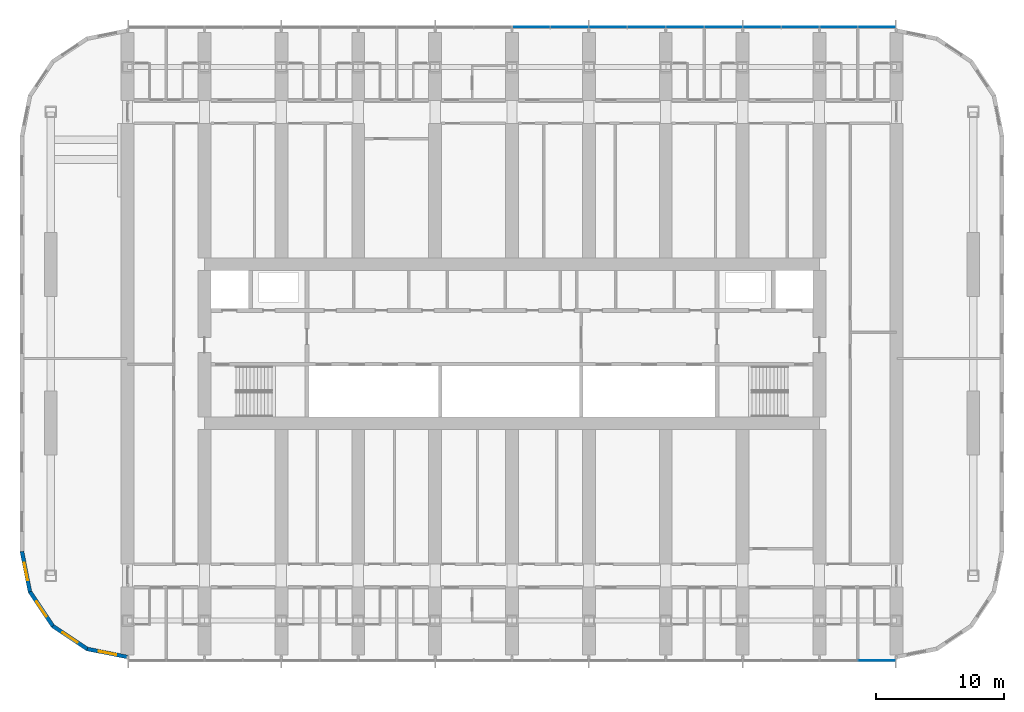
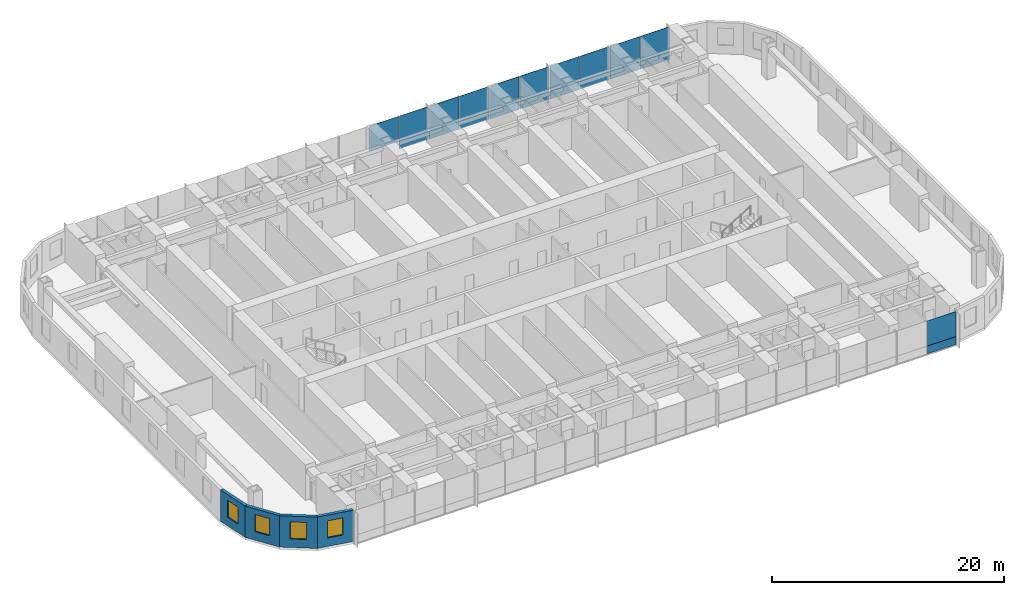
# One storey, part 9 of 23: 21 plates, 4 walls, 4 windows, 4 openings, 2 elements without a shape of their own.
"""IFC4 building model written with IfcOpenShell, lengths in metres."""

from ifc_helpers import new_model, si_unit, direction, frame, frame_2d, origin, origin_2d, place, context, subcontext, project, spatial, polyline, rectangle, outline, extrude, material, layer, layer_set, type_object, element, fill, aggregate, save


model = new_model("IFC4")

# Units and contexts
model_context = context("Model", 3, precision=1e-05, world=origin(), true_north=direction((0.0, 1.0)))
body_context = subcontext(model_context, "Body", "Model", "MODEL_VIEW")
ifc_project = project(units=[si_unit("LENGTHUNIT", "METRE"), si_unit("AREAUNIT", "SQUARE_METRE"), si_unit("VOLUMEUNIT", "CUBIC_METRE"), si_unit("PLANEANGLEUNIT", "RADIAN"), si_unit("MASSUNIT", "GRAM", prefix="KILO")], contexts=[model_context])

# Site, building, storey
site_placement = place(None, origin())
site = spatial("IfcSite", under=ifc_project, at=site_placement, CompositionType="ELEMENT")
building_placement = place(site_placement, origin())
building = spatial("IfcBuilding", under=site, at=building_placement, Name="Orbita Commons", CompositionType="ELEMENT")
storey_placement = place(building_placement, frame((0.0, 0.0, 50.199951171875)))
storey = spatial("IfcBuildingStorey", under=building, at=storey_placement, Name="L12", CompositionType="ELEMENT", Elevation=50.199951171875)

# Curtain wall, plate
ifc_material_1 = material(Name="Anodised aluminium frame, pale silver", Category="aluminium")
curtain_wall_type = type_object("IfcCurtainWallType", Name="Unitised curtain wall CW-T, vision and spandrel", PredefinedType="NOTDEFINED", material=ifc_material_1)
curtain_wall_1_placement = place(storey_placement, origin())
curtain_wall_1 = element("IfcCurtainWall", 1, at=curtain_wall_1_placement, inside=storey, type_object=curtain_wall_type, Name="Curtain wall south L12", PredefinedType="NOTDEFINED")
ifc_material_2 = material(Name="Anodised aluminium sheet on mineral wool", Category="aluminium")
ifc_layer_1 = layer(ifc_material_2, 0.050048828125)
ifc_layer_set_1 = layer_set([ifc_layer_1], Name="Anodised aluminium sheet on mineral wool")
plate_type_1 = type_object("IfcPlateType", Name="Spandrel panel, pale aluminium over insulation 50", PredefinedType="CURTAIN_PANEL", material=ifc_layer_set_1)
plate_1_placement = place(storey_placement, frame((70.47998046875, 7.2900390625, -0.14990234375), z_axis=(0.0, 0.0, 1.0), x_axis=(1.0, 0.0, 0.0)))
plate_1 = element("IfcPlate", 2, at=plate_1_placement, type_object=plate_type_1, Name="Panel 20.1 CW-L12-S", PredefinedType="CURTAIN_PANEL", context=body_context, shape_type="SweptSolid", body=[
    extrude(rectangle(XDim=2.8798828125, YDim=0.050048828125, at=origin_2d()), origin(), (0.0, 0.0, 1.0), 0.822998046875),
])

# Curtain wall, plates
curtain_wall_2_placement = place(storey_placement, origin())
curtain_wall_2 = element("IfcCurtainWall", 3, at=curtain_wall_2_placement, inside=storey, type_object=curtain_wall_type, Name="Curtain wall north L12", PredefinedType="NOTDEFINED")
plate_2_placement = place(storey_placement, frame((70.47998046875, 56.7099609375, -0.14990234375), z_axis=(0.0, 0.0, 1.0), x_axis=(-1.0, 0.0, 0.0)))
plate_2 = element("IfcPlate", 4, at=plate_2_placement, type_object=plate_type_1, Name="Panel 1.1 CW-L12-N", PredefinedType="CURTAIN_PANEL", context=body_context, shape_type="SweptSolid", body=[
    extrude(rectangle(XDim=2.8798828125, YDim=0.050048828125, at=origin_2d()), origin(), (0.0, 0.0, 1.0), 0.822998046875),
])
plate_3_placement = place(storey_placement, frame((67.5, 56.7099609375, -0.14990234375), z_axis=(0.0, 0.0, 1.0), x_axis=(-1.0, 0.0, 0.0)))
plate_3 = element("IfcPlate", 5, at=plate_3_placement, type_object=plate_type_1, Name="Panel 2.1 CW-L12-N", PredefinedType="CURTAIN_PANEL", context=body_context, shape_type="SweptSolid", body=[
    extrude(rectangle(XDim=2.919921875, YDim=0.050048828125, at=origin_2d()), origin(), (0.0, 0.0, 1.0), 0.822998046875),
])
plate_4_placement = place(storey_placement, frame((64.5, 56.7099609375, -0.14990234375), z_axis=(0.0, 0.0, 1.0), x_axis=(-1.0, 0.0, 0.0)))
plate_4 = element("IfcPlate", 6, at=plate_4_placement, type_object=plate_type_1, Name="Panel 3.1 CW-L12-N", PredefinedType="CURTAIN_PANEL", context=body_context, shape_type="SweptSolid", body=[
    extrude(rectangle(XDim=2.919921875, YDim=0.050048828125, at=origin_2d()), origin(), (0.0, 0.0, 1.0), 0.822998046875),
])
plate_5_placement = place(storey_placement, frame((61.5, 56.7099609375, -0.14990234375), z_axis=(0.0, 0.0, 1.0), x_axis=(-1.0, 0.0, 0.0)))
plate_5 = element("IfcPlate", 7, at=plate_5_placement, type_object=plate_type_1, Name="Panel 4.1 CW-L12-N", PredefinedType="CURTAIN_PANEL", context=body_context, shape_type="SweptSolid", body=[
    extrude(rectangle(XDim=2.919921875, YDim=0.050048828125, at=origin_2d()), origin(), (0.0, 0.0, 1.0), 0.822998046875),
])
plate_6_placement = place(storey_placement, frame((58.5, 56.7099609375, -0.14990234375), z_axis=(0.0, 0.0, 1.0), x_axis=(-1.0, 0.0, 0.0)))
plate_6 = element("IfcPlate", 8, at=plate_6_placement, type_object=plate_type_1, Name="Panel 5.1 CW-L12-N", PredefinedType="CURTAIN_PANEL", context=body_context, shape_type="SweptSolid", body=[
    extrude(rectangle(XDim=2.919921875, YDim=0.050048828125, at=origin_2d()), origin(), (0.0, 0.0, 1.0), 0.822998046875),
])
plate_7_placement = place(storey_placement, frame((55.5, 56.7099609375, -0.14990234375), z_axis=(0.0, 0.0, 1.0), x_axis=(-1.0, 0.0, 0.0)))
plate_7 = element("IfcPlate", 9, at=plate_7_placement, type_object=plate_type_1, Name="Panel 6.1 CW-L12-N", PredefinedType="CURTAIN_PANEL", context=body_context, shape_type="SweptSolid", body=[
    extrude(rectangle(XDim=2.919921875, YDim=0.050048828125, at=origin_2d()), origin(), (0.0, 0.0, 1.0), 0.822998046875),
])
plate_8_placement = place(storey_placement, frame((52.5, 56.7099609375, -0.14990234375), z_axis=(0.0, 0.0, 1.0), x_axis=(-1.0, 0.0, 0.0)))
plate_8 = element("IfcPlate", 10, at=plate_8_placement, type_object=plate_type_1, Name="Panel 7.1 CW-L12-N", PredefinedType="CURTAIN_PANEL", context=body_context, shape_type="SweptSolid", body=[
    extrude(rectangle(XDim=2.919921875, YDim=0.050048828125, at=origin_2d()), origin(), (0.0, 0.0, 1.0), 0.822998046875),
])
plate_9_placement = place(storey_placement, frame((49.5, 56.7099609375, -0.14990234375), z_axis=(0.0, 0.0, 1.0), x_axis=(-1.0, 0.0, 0.0)))
plate_9 = element("IfcPlate", 11, at=plate_9_placement, type_object=plate_type_1, Name="Panel 8.1 CW-L12-N", PredefinedType="CURTAIN_PANEL", context=body_context, shape_type="SweptSolid", body=[
    extrude(rectangle(XDim=2.919921875, YDim=0.050048828125, at=origin_2d()), origin(), (0.0, 0.0, 1.0), 0.822998046875),
])
plate_10_placement = place(storey_placement, frame((46.5, 56.7099609375, -0.14990234375), z_axis=(0.0, 0.0, 1.0), x_axis=(-1.0, 0.0, 0.0)))
plate_10 = element("IfcPlate", 12, at=plate_10_placement, type_object=plate_type_1, Name="Panel 9.1 CW-L12-N", PredefinedType="CURTAIN_PANEL", context=body_context, shape_type="SweptSolid", body=[
    extrude(rectangle(XDim=2.919921875, YDim=0.050048828125, at=origin_2d()), origin(), (0.0, 0.0, 1.0), 0.822998046875),
])

# Plate
ifc_material_3 = material(Name="Clear double glazing", Category="glass")
ifc_layer_2 = layer(ifc_material_3, 0.031982421875)
ifc_layer_set_2 = layer_set([ifc_layer_2], Name="Clear double glazing")
plate_type_2 = type_object("IfcPlateType", Name="Vision panel, clear double glazing 32", PredefinedType="CURTAIN_PANEL", material=ifc_layer_set_2)
plate_11_placement = place(storey_placement, frame((70.47998046875, 7.2900390625, 0.673095703125), z_axis=(0.0, 0.0, 1.0), x_axis=(1.0, 0.0, 0.0)))
plate_11 = element("IfcPlate", 13, at=plate_11_placement, type_object=plate_type_2, Name="Panel 20.2 CW-L12-S", PredefinedType="CURTAIN_PANEL", context=body_context, shape_type="SweptSolid", body=[
    extrude(rectangle(XDim=2.8798828125, YDim=0.031982421875, at=origin_2d()), origin(), (0.0, 0.0, 1.0), 2.626953125),
])

aggregate(curtain_wall_1, [plate_1, plate_11])

plate_12_placement = place(storey_placement, frame((70.47998046875, 56.7099609375, 0.673095703125), z_axis=(0.0, 0.0, 1.0), x_axis=(-1.0, 0.0, 0.0)))
plate_12 = element("IfcPlate", 14, at=plate_12_placement, type_object=plate_type_2, Name="Panel 1.2 CW-L12-N", PredefinedType="CURTAIN_PANEL", context=body_context, shape_type="SweptSolid", body=[
    extrude(rectangle(XDim=2.8798828125, YDim=0.031982421875, at=origin_2d()), origin(), (0.0, 0.0, 1.0), 2.626953125),
])

plate_13_placement = place(storey_placement, frame((67.5, 56.7099609375, 0.673095703125), z_axis=(0.0, 0.0, 1.0), x_axis=(-1.0, 0.0, 0.0)))
plate_13 = element("IfcPlate", 15, at=plate_13_placement, type_object=plate_type_2, Name="Panel 2.2 CW-L12-N", PredefinedType="CURTAIN_PANEL", context=body_context, shape_type="SweptSolid", body=[
    extrude(rectangle(XDim=2.919921875, YDim=0.031982421875, at=origin_2d()), origin(), (0.0, 0.0, 1.0), 2.626953125),
])

plate_14_placement = place(storey_placement, frame((64.5, 56.7099609375, 0.673095703125), z_axis=(0.0, 0.0, 1.0), x_axis=(-1.0, 0.0, 0.0)))
plate_14 = element("IfcPlate", 16, at=plate_14_placement, type_object=plate_type_2, Name="Panel 3.2 CW-L12-N", PredefinedType="CURTAIN_PANEL", context=body_context, shape_type="SweptSolid", body=[
    extrude(rectangle(XDim=2.919921875, YDim=0.031982421875, at=origin_2d()), origin(), (0.0, 0.0, 1.0), 2.626953125),
])

plate_15_placement = place(storey_placement, frame((61.5, 56.7099609375, 0.673095703125), z_axis=(0.0, 0.0, 1.0), x_axis=(-1.0, 0.0, 0.0)))
plate_15 = element("IfcPlate", 17, at=plate_15_placement, type_object=plate_type_2, Name="Panel 4.2 CW-L12-N", PredefinedType="CURTAIN_PANEL", context=body_context, shape_type="SweptSolid", body=[
    extrude(rectangle(XDim=2.919921875, YDim=0.031982421875, at=origin_2d()), origin(), (0.0, 0.0, 1.0), 2.626953125),
])

plate_16_placement = place(storey_placement, frame((58.5, 56.7099609375, 0.673095703125), z_axis=(0.0, 0.0, 1.0), x_axis=(-1.0, 0.0, 0.0)))
plate_16 = element("IfcPlate", 18, at=plate_16_placement, type_object=plate_type_2, Name="Panel 5.2 CW-L12-N", PredefinedType="CURTAIN_PANEL", context=body_context, shape_type="SweptSolid", body=[
    extrude(rectangle(XDim=2.919921875, YDim=0.031982421875, at=origin_2d()), origin(), (0.0, 0.0, 1.0), 2.626953125),
])

plate_17_placement = place(storey_placement, frame((55.5, 56.7099609375, 0.673095703125), z_axis=(0.0, 0.0, 1.0), x_axis=(-1.0, 0.0, 0.0)))
plate_17 = element("IfcPlate", 19, at=plate_17_placement, type_object=plate_type_2, Name="Panel 6.2 CW-L12-N", PredefinedType="CURTAIN_PANEL", context=body_context, shape_type="SweptSolid", body=[
    extrude(rectangle(XDim=2.919921875, YDim=0.031982421875, at=origin_2d()), origin(), (0.0, 0.0, 1.0), 2.626953125),
])

plate_18_placement = place(storey_placement, frame((52.5, 56.7099609375, 0.673095703125), z_axis=(0.0, 0.0, 1.0), x_axis=(-1.0, 0.0, 0.0)))
plate_18 = element("IfcPlate", 20, at=plate_18_placement, type_object=plate_type_2, Name="Panel 7.2 CW-L12-N", PredefinedType="CURTAIN_PANEL", context=body_context, shape_type="SweptSolid", body=[
    extrude(rectangle(XDim=2.919921875, YDim=0.031982421875, at=origin_2d()), origin(), (0.0, 0.0, 1.0), 2.626953125),
])

plate_19_placement = place(storey_placement, frame((49.5, 56.7099609375, 0.673095703125), z_axis=(0.0, 0.0, 1.0), x_axis=(-1.0, 0.0, 0.0)))
plate_19 = element("IfcPlate", 21, at=plate_19_placement, type_object=plate_type_2, Name="Panel 8.2 CW-L12-N", PredefinedType="CURTAIN_PANEL", context=body_context, shape_type="SweptSolid", body=[
    extrude(rectangle(XDim=2.919921875, YDim=0.031982421875, at=origin_2d()), origin(), (0.0, 0.0, 1.0), 2.626953125),
])

plate_20_placement = place(storey_placement, frame((46.5, 56.7099609375, 0.673095703125), z_axis=(0.0, 0.0, 1.0), x_axis=(-1.0, 0.0, 0.0)))
plate_20 = element("IfcPlate", 22, at=plate_20_placement, type_object=plate_type_2, Name="Panel 9.2 CW-L12-N", PredefinedType="CURTAIN_PANEL", context=body_context, shape_type="SweptSolid", body=[
    extrude(rectangle(XDim=2.919921875, YDim=0.031982421875, at=origin_2d()), origin(), (0.0, 0.0, 1.0), 2.626953125),
])

plate_21_placement = place(storey_placement, frame((43.5, 56.7099609375, 0.673095703125), z_axis=(0.0, 0.0, 1.0), x_axis=(-1.0, 0.0, 0.0)))
plate_21 = element("IfcPlate", 23, at=plate_21_placement, type_object=plate_type_2, Name="Panel 10.2 CW-L12-N", PredefinedType="CURTAIN_PANEL", context=body_context, shape_type="SweptSolid", body=[
    extrude(rectangle(XDim=2.919921875, YDim=0.031982421875, at=origin_2d()), origin(), (0.0, 0.0, 1.0), 2.626953125),
])

aggregate(curtain_wall_2, [plate_2, plate_12, plate_3, plate_13, plate_4, plate_14, plate_5, plate_15, plate_6, plate_16, plate_7, plate_17, plate_8, plate_18, plate_9, plate_19, plate_10, plate_20, plate_21])

# Wall, opening, window
ifc_material_4 = material(Name="Precast concrete C40/50, white board-marked finish", Category="concrete")
ifc_layer_3 = layer(ifc_material_4, 0.300048828125)
ifc_layer_set_3 = layer_set([ifc_layer_3], Name="Precast concrete C40/50, white board-marked finish")
wall_type = type_object("IfcWallType", Name="Precast concrete end shield 300", PredefinedType="SOLIDWALL", material=ifc_layer_set_3)
wall_1_placement = place(storey_placement, frame((3.75, 15.800048828125, 0.0), z_axis=(0.0, 0.0, 1.0), x_axis=(0.195065901187, -0.980790137692, 0.0)))
wall_1 = element("IfcWall", 24, at=wall_1_placement, inside=storey, type_object=wall_type, Name="End shield SW chord 1 L12", PredefinedType="SOLIDWALL", context=body_context, shape_type="SweptSolid", body=[
    extrude(outline(polyline([(-0.014892578125, -0.14990234375), (3.248779296875, -0.14990234375), (3.189208984375, 0.14990234375), (0.014892578125, 0.14990234375), (-0.014892578125, -0.14990234375)])), origin(), (0.0, 0.0, 1.0), 3.300048828125),
])
opening_1_placement = place(wall_1_placement, frame((0.909423828125, 0.0, 0.89990234375)))
opening_1 = element("IfcOpeningElement", 25, at=opening_1_placement, cuts=wall_1, Name="Opening W02", PredefinedType="OPENING", context=body_context, shape_type="SweptSolid", body=[
    extrude(rectangle(XDim=1.39990234375, YDim=1.800048828125, at=frame_2d((0.699951171875, 0.89990234375))), frame((0.0, 0.159912109375, 0.0), z_axis=(0.0, -1.0, 0.0), x_axis=(1.0, 0.0, 0.0)), (0.0, 0.0, 1.0), 0.320068359375),
])
ifc_material_5 = material(Name="Aluminium frame, clear double glazing", Category="aluminium")
window_type = type_object("IfcWindowType", Name="Deep-set window 1400x1800", PartitioningType="SINGLE_PANEL", PredefinedType="WINDOW", material=ifc_material_5)
window_1_placement = place(opening_1_placement, origin())
window_1 = element("IfcWindow", 26, at=window_1_placement, inside=storey, type_object=window_type, Name="Window L12-SW0", OverallHeight=1.800048828125, OverallWidth=1.39990234375, PartitioningType="SINGLE_PANEL", PredefinedType="WINDOW", context=body_context, shape_type="SweptSolid", body=[
    extrude(rectangle(XDim=1.39990234375, YDim=1.800048828125, at=frame_2d((0.699951171875, 0.89990234375))), frame((0.0, 0.030029296875, 0.0), z_axis=(0.0, -1.0, 0.0), x_axis=(1.0, 0.0, 0.0)), (0.0, 0.0, 1.0), 0.06005859375),
])
fill(opening_1, window_1)

wall_2_placement = place(storey_placement, frame((4.3779296875, 12.642822265625, 0.0), z_axis=(0.0, 0.0, 1.0), x_axis=(0.555609954424, -0.831443069936, 0.0)))
wall_2 = element("IfcWall", 27, at=wall_2_placement, inside=storey, type_object=wall_type, Name="End shield SW chord 2 L12", PredefinedType="SOLIDWALL", context=body_context, shape_type="SweptSolid", body=[
    extrude(outline(polyline([(-0.02978515625, -0.14990234375), (3.2490234375, -0.14990234375), (3.189453125, 0.14990234375), (0.02978515625, 0.14990234375), (-0.02978515625, -0.14990234375)])), origin(), (0.0, 0.0, 1.0), 3.300048828125),
])
opening_2_placement = place(wall_2_placement, frame((0.909423828125, 0.0, 0.89990234375)))
opening_2 = element("IfcOpeningElement", 28, at=opening_2_placement, cuts=wall_2, Name="Opening W02", PredefinedType="OPENING", context=body_context, shape_type="SweptSolid", body=[
    extrude(rectangle(XDim=1.39990234375, YDim=1.800048828125, at=frame_2d((0.699951171875, 0.89990234375))), frame((0.0, 0.159912109375, 0.0), z_axis=(0.0, -1.0, 0.0), x_axis=(1.0, 0.0, 0.0)), (0.0, 0.0, 1.0), 0.320068359375),
])
window_2_placement = place(opening_2_placement, origin())
window_2 = element("IfcWindow", 29, at=window_2_placement, inside=storey, type_object=window_type, Name="Window L12-SW1", OverallHeight=1.800048828125, OverallWidth=1.39990234375, PartitioningType="SINGLE_PANEL", PredefinedType="WINDOW", context=body_context, shape_type="SweptSolid", body=[
    extrude(rectangle(XDim=1.39990234375, YDim=1.800048828125, at=frame_2d((0.699951171875, 0.89990234375))), frame((0.0, 0.030029296875, 0.0), z_axis=(0.0, -1.0, 0.0), x_axis=(1.0, 0.0, 0.0)), (0.0, 0.0, 1.0), 0.06005859375),
])
fill(opening_2, window_2)

wall_3_placement = place(storey_placement, frame((6.16650390625, 9.96630859375, 0.0), z_axis=(0.0, 0.0, 1.0), x_axis=(0.831478105043, -0.555557522525, 0.0)))
wall_3 = element("IfcWall", 30, at=wall_3_placement, inside=storey, type_object=wall_type, Name="End shield SW chord 3 L12", PredefinedType="SOLIDWALL", context=body_context, shape_type="SweptSolid", body=[
    extrude(outline(polyline([(-0.02978515625, -0.14990234375), (3.248779296875, -0.14990234375), (3.189208984375, 0.14990234375), (0.02978515625, 0.14990234375), (-0.02978515625, -0.14990234375)])), origin(), (0.0, 0.0, 1.0), 3.300048828125),
])
opening_3_placement = place(wall_3_placement, frame((0.909423828125, 0.0, 0.89990234375)))
opening_3 = element("IfcOpeningElement", 31, at=opening_3_placement, cuts=wall_3, Name="Opening W02", PredefinedType="OPENING", context=body_context, shape_type="SweptSolid", body=[
    extrude(rectangle(XDim=1.39990234375, YDim=1.800048828125, at=frame_2d((0.699951171875, 0.89990234375))), frame((0.0, 0.159912109375, 0.0), z_axis=(0.0, -1.0, 0.0), x_axis=(1.0, 0.0, 0.0)), (0.0, 0.0, 1.0), 0.320068359375),
])
window_3_placement = place(opening_3_placement, origin())
window_3 = element("IfcWindow", 32, at=window_3_placement, inside=storey, type_object=window_type, Name="Window L12-SW2", OverallHeight=1.800048828125, OverallWidth=1.39990234375, PartitioningType="SINGLE_PANEL", PredefinedType="WINDOW", context=body_context, shape_type="SweptSolid", body=[
    extrude(rectangle(XDim=1.39990234375, YDim=1.800048828125, at=frame_2d((0.699951171875, 0.89990234375))), frame((0.0, 0.030029296875, 0.0), z_axis=(0.0, -1.0, 0.0), x_axis=(1.0, 0.0, 0.0)), (0.0, 0.0, 1.0), 0.06005859375),
])
fill(opening_3, window_3)

wall_4_placement = place(storey_placement, frame((8.843017578125, 8.177978515625, 0.0), z_axis=(0.0, 0.0, 1.0), x_axis=(0.980787251524, -0.195080412259, 0.0)))
wall_4 = element("IfcWall", 33, at=wall_4_placement, inside=storey, type_object=wall_type, Name="End shield SW chord 4 L12", PredefinedType="SOLIDWALL", context=body_context, shape_type="SweptSolid", body=[
    extrude(outline(polyline([(-0.02978515625, -0.14990234375), (3.24853515625, -0.14990234375), (3.18896484375, 0.14990234375), (0.02978515625, 0.14990234375), (-0.02978515625, -0.14990234375)])), origin(), (0.0, 0.0, 1.0), 3.300048828125),
])
opening_4_placement = place(wall_4_placement, frame((0.909423828125, 0.0, 0.89990234375)))
opening_4 = element("IfcOpeningElement", 34, at=opening_4_placement, cuts=wall_4, Name="Opening W02", PredefinedType="OPENING", context=body_context, shape_type="SweptSolid", body=[
    extrude(rectangle(XDim=1.39990234375, YDim=1.800048828125, at=frame_2d((0.699951171875, 0.89990234375))), frame((0.0, 0.159912109375, 0.0), z_axis=(0.0, -1.0, 0.0), x_axis=(1.0, 0.0, 0.0)), (0.0, 0.0, 1.0), 0.320068359375),
])
window_4_placement = place(opening_4_placement, origin())
window_4 = element("IfcWindow", 35, at=window_4_placement, inside=storey, type_object=window_type, Name="Window L12-SW3", OverallHeight=1.800048828125, OverallWidth=1.39990234375, PartitioningType="SINGLE_PANEL", PredefinedType="WINDOW", context=body_context, shape_type="SweptSolid", body=[
    extrude(rectangle(XDim=1.39990234375, YDim=1.800048828125, at=frame_2d((0.699951171875, 0.89990234375))), frame((0.0, 0.030029296875, 0.0), z_axis=(0.0, -1.0, 0.0), x_axis=(1.0, 0.0, 0.0)), (0.0, 0.0, 1.0), 0.06005859375),
])
fill(opening_4, window_4)

save(model, "model.ifc")
